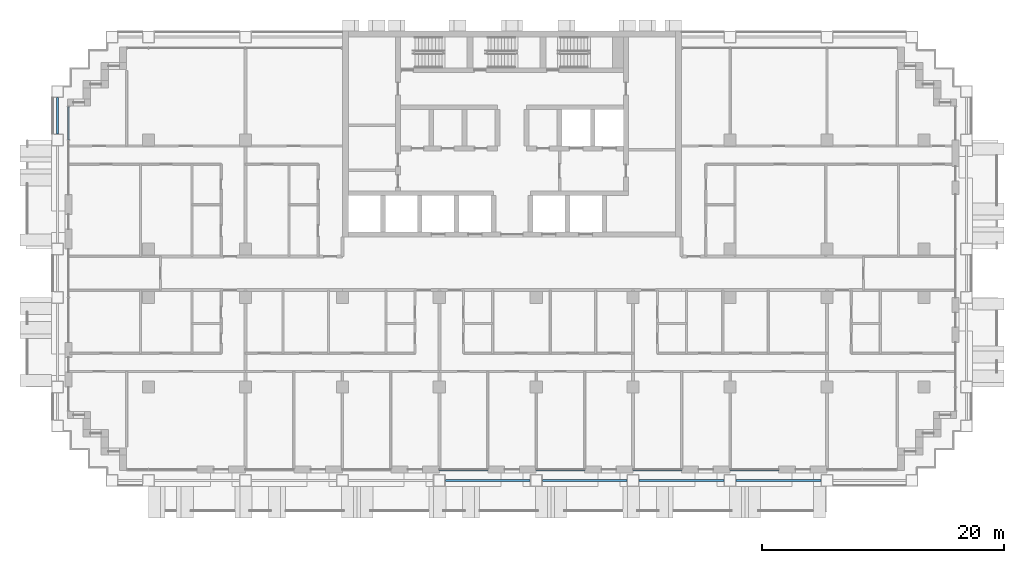
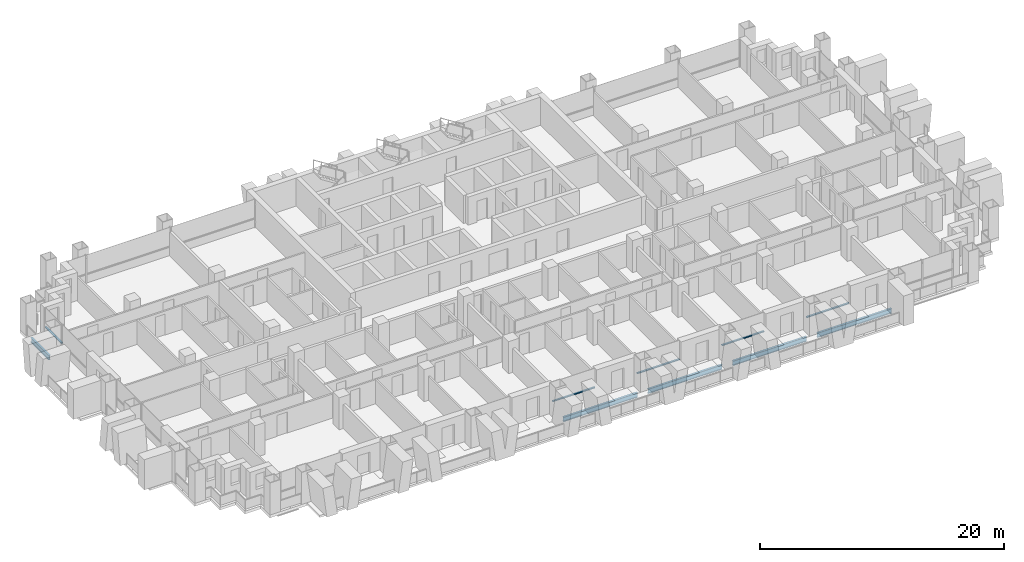
# One storey, part 3 of 19: 5 beams, 5 members, 5 elements without a shape of their own.
"""IFC4 building model written with IfcOpenShell, lengths in metres."""

import ifcopenshell
import ifcopenshell.guid

model = None  # the IFC model being written
_history = None  # IfcOwnerHistory: only IFC2X3 demands one
_inside = {}  # id of a spatial element -> (the spatial element, [elements in it])
_under = {}  # id of a project, library or spatial element -> (it, [spatial elements below it])
_declared = {}  # id of a project -> (the project, [libraries it declares])
_typed = {}  # id of a type object -> (the type object, [elements of that type])
_made_of = {}  # id of a material, layer set ... -> (it, [elements and type objects made of it])


def new_model(schema):
    """Start an empty IFC model of exactly this schema.

    Asked for "IFC4X3", IfcOpenShell would pick the latest addendum, in which some entities
    have other attributes; the version numbers below select the first issue.
    IFC2X3 requires an IfcOwnerHistory on every rooted entity: one is made here for all.
    """
    global model, _history
    if schema == "IFC4X3":
        model = ifcopenshell.file(schema_version=(4, 3, 0, 0))
    else:
        model = ifcopenshell.file(schema=schema)
    _inside.clear()
    _under.clear()
    _declared.clear()
    _typed.clear()
    _made_of.clear()
    _history = None
    if model.schema == "IFC2X3":
        org = make("IfcOrganization", Name="unknown")
        user = make(
            "IfcPersonAndOrganization",
            ThePerson=make("IfcPerson", FamilyName="unknown"),
            TheOrganization=org,
        )
        app = make(
            "IfcApplication",
            ApplicationDeveloper=org,
            Version="unknown",
            ApplicationFullName="unknown",
            ApplicationIdentifier="unknown",
        )
        _history = make(
            "IfcOwnerHistory",
            OwningUser=user,
            OwningApplication=app,
            ChangeAction="ADDED",
            CreationDate=0,
        )
    return model


def make(cls, **values):
    """One entity of the class cls with the attributes given. An attribute that is None is left unset."""
    return model.create_entity(
        cls, **{name: value for name, value in values.items() if value is not None}
    )


def rooted(cls, **values):
    """An entity with a GlobalId (a new one), such as an element, a storey or a relation."""
    return make(cls, GlobalId=ifcopenshell.guid.new(), OwnerHistory=_history, **values)


def si_unit(unit_type, name, prefix=None):
    """IfcSIUnit, for example si_unit("LENGTHUNIT", "METRE", prefix="MILLI")."""
    return make("IfcSIUnit", UnitType=unit_type, Prefix=prefix, Name=name)


def assignment(units):
    """IfcUnitAssignment: the units of a project."""
    return None if units is None else make("IfcUnitAssignment", Units=units)


def point(xyz):
    """IfcCartesianPoint."""
    return None if xyz is None else make("IfcCartesianPoint", Coordinates=xyz)


def direction(xyz):
    """IfcDirection."""
    return None if xyz is None else make("IfcDirection", DirectionRatios=xyz)


def frame(location, z_axis=None, x_axis=None):
    """IfcAxis2Placement3D, a coordinate frame: its origin and axes. An axis left out is left unset."""
    return make(
        "IfcAxis2Placement3D",
        Location=point(location),
        Axis=direction(z_axis),
        RefDirection=direction(x_axis),
    )


def frame_2d(location, x_axis=None):
    """IfcAxis2Placement2D, a coordinate frame in the plane: its origin and x axis."""
    return make(
        "IfcAxis2Placement2D", Location=point(location), RefDirection=direction(x_axis)
    )


def origin():
    """The frame at (0, 0, 0) with its axes left unset."""
    return frame((0.0, 0.0, 0.0))


def origin_2d():
    """The frame at (0, 0) in the plane with its x axis left unset."""
    return frame_2d((0.0, 0.0))


def place(relative_to, where):
    """IfcLocalPlacement: puts the frame where relative to a parent placement (None: the world)."""
    return make(
        "IfcLocalPlacement", PlacementRelTo=relative_to, RelativePlacement=where
    )


def context(
    kind, dimensions, precision=None, world=None, true_north=None, identifier=None
):
    """IfcGeometricRepresentationContext, for example the 3D "Model" context."""
    return make(
        "IfcGeometricRepresentationContext",
        ContextIdentifier=identifier,
        ContextType=kind,
        CoordinateSpaceDimension=dimensions,
        Precision=precision,
        WorldCoordinateSystem=world,
        TrueNorth=true_north,
    )


def subcontext(parent, identifier, kind, view, scale=None):
    """IfcGeometricRepresentationSubContext, for example "Body" below "Model"."""
    return make(
        "IfcGeometricRepresentationSubContext",
        ContextIdentifier=identifier,
        ContextType=kind,
        ParentContext=parent,
        TargetScale=scale,
        TargetView=view,
    )


def project(units=None, contexts=None):
    """IfcProject with its units and contexts."""
    return rooted(
        "IfcProject",
        Name="project",
        RepresentationContexts=contexts,
        UnitsInContext=assignment(units),
    )


def spatial(cls, under=None, at=None, **own):
    """A site, building, storey or space (cls), placed at a placement, below another one or the project."""
    s = rooted(cls, ObjectPlacement=at, **own)
    if under is not None:
        _under.setdefault(under.id(), (under, []))[1].append(s)
    return s


def profile(cls, at=None, kind="AREA", **sizes):
    """A parametric profile (cls). Its sizes go by their IFC names, for example OverallWidth=200.0."""
    return make(cls, ProfileType=kind, Position=at, **sizes)


def rectangle(**sizes):
    """IfcRectangleProfileDef."""
    return profile("IfcRectangleProfileDef", **sizes)


def i_section(**sizes):
    """IfcIShapeProfileDef."""
    return profile("IfcIShapeProfileDef", **sizes)


def extrude(swept, where, along, depth):
    """IfcExtrudedAreaSolid: the profile swept, set in the frame where, extruded along a direction by depth."""
    return make(
        "IfcExtrudedAreaSolid",
        SweptArea=swept,
        Position=where,
        ExtrudedDirection=direction(along),
        Depth=depth,
    )


def shape(context_of_items, identifier, shape_type, items):
    """IfcShapeRepresentation: the items that make up one representation, for example the "Body"."""
    return make(
        "IfcShapeRepresentation",
        ContextOfItems=context_of_items,
        RepresentationIdentifier=identifier,
        RepresentationType=shape_type,
        Items=items,
    )


def material(Name=None, Category=None):
    """IfcMaterial."""
    return make("IfcMaterial", Name=Name, Category=Category)


def material_profile(
    of_material, cross_section, Name=None, Category=None, Priority=None
):
    """IfcMaterialProfile: a cross section and its material."""
    return make(
        "IfcMaterialProfile",
        Name=Name,
        Material=of_material,
        Profile=cross_section,
        Priority=Priority,
        Category=Category,
    )


def profile_set(profiles, Name=None, composite=None):
    """IfcMaterialProfileSet."""
    return make(
        "IfcMaterialProfileSet",
        Name=Name,
        MaterialProfiles=profiles,
        CompositeProfile=composite,
    )


def made_of(thing, what):
    """Note that an element or type object is made of a material, layer set ...; save() writes the relation."""
    if what is not None:
        _made_of.setdefault(what.id(), (what, []))[1].append(thing)
    return thing


def type_object(cls, material=None, **own):
    """A type object (cls), such as IfcWallType, which elements share."""
    return made_of(rooted(cls, **own), material)


def element(
    cls,
    number,
    at=None,
    inside=None,
    cuts=None,
    type_object=None,
    material=None,
    context=None,
    identifier="Body",
    shape_type=None,
    held_by="IfcProductDefinitionShape",
    body=None,
    shapes=None,
    **own,
):
    """One element of the class cls, such as IfcWall. Its Tag is "e" and its number.

    at: its placement. inside: the storey or other place that contains it. cuts: it is an
    opening in that element (IfcRelVoidsElement). A single representation is given by context,
    identifier, shape_type and body (its items); several are given by shapes. held_by: the class
    of the entity that holds the representations. save() writes the other relations.
    """
    e = rooted(cls, Tag="e%d" % number, ObjectPlacement=at, **own)
    if body is not None:
        shapes = [shape(context, identifier, shape_type, body)]
    if shapes is not None:
        e.Representation = make(held_by, Representations=shapes)
    if inside is not None:
        _inside.setdefault(inside.id(), (inside, []))[1].append(e)
    if cuts is not None:
        rooted(
            "IfcRelVoidsElement", RelatingBuildingElement=cuts, RelatedOpeningElement=e
        )
    if type_object is not None:
        _typed.setdefault(type_object.id(), (type_object, []))[1].append(e)
    return made_of(e, material)


def aggregate(whole, parts):
    """IfcRelAggregates: a whole, such as a stair, and the parts it consists of."""
    return rooted("IfcRelAggregates", RelatingObject=whole, RelatedObjects=parts)


def save(model, path):
    """Write the relations noted so far, then the file.

    IfcRelAggregates (storeys below a building ...), IfcRelContainedInSpatialStructure (elements
    in a storey), IfcRelDefinesByType, IfcRelAssociatesMaterial and IfcRelDeclares: one each for
    every whole, place, type object, material and project.
    """
    for whole, parts in _under.values():
        aggregate(whole, parts)
    for where, things in _inside.values():
        rooted(
            "IfcRelContainedInSpatialStructure",
            RelatedElements=things,
            RelatingStructure=where,
        )
    for kind, things in _typed.values():
        rooted("IfcRelDefinesByType", RelatedObjects=things, RelatingType=kind)
    for what, things in _made_of.values():
        rooted("IfcRelAssociatesMaterial", RelatedObjects=things, RelatingMaterial=what)
    for by, libraries in _declared.values():
        rooted("IfcRelDeclares", RelatingContext=by, RelatedDefinitions=libraries)
    model.write(path)


model = new_model("IFC4")

# Units and contexts
model_context = context("Model", 3, precision=1e-05, world=origin(), true_north=direction((0.0, 1.0)))
body_context = subcontext(model_context, "Body", "Model", "MODEL_VIEW")
ifc_project = project(units=[si_unit("LENGTHUNIT", "METRE"), si_unit("AREAUNIT", "SQUARE_METRE"), si_unit("VOLUMEUNIT", "CUBIC_METRE"), si_unit("PLANEANGLEUNIT", "RADIAN"), si_unit("MASSUNIT", "GRAM", prefix="KILO")], contexts=[model_context])

# Site, building, storey
site_placement = place(None, origin())
site = spatial("IfcSite", under=ifc_project, at=site_placement, CompositionType="ELEMENT")
building_placement = place(site_placement, origin())
building = spatial("IfcBuilding", under=site, at=building_placement, Name="Vidyagriha Tower", CompositionType="ELEMENT")
storey_placement = place(building_placement, frame((0.0, 0.0, 60.800048828125)))
storey = spatial("IfcBuildingStorey", under=building, at=storey_placement, Name="L16", CompositionType="ELEMENT", Elevation=60.800048828125)

# Beams
ifc_material_1 = material(Name="Steel ASTM A992 Grade 50", Category="steel")
ifc_material_profile_1 = material_profile(ifc_material_1, i_section(OverallWidth=0.19189453125, OverallDepth=0.46240234375, WebThickness=0.010498046875, FlangeThickness=0.017578125, at=origin_2d()), Name="W18X60")
ifc_profile_set_1 = profile_set([ifc_material_profile_1], Name="Steel ASTM A992 Grade 50")
beam_type = type_object("IfcBeamType", Name="Edge beam W18X60", PredefinedType="SPANDREL", material=ifc_profile_set_1)
for number, where, z_axis, x_axis, name in (
    (1, (-5.5, -17.10009765625, -0.51123046875), (1.0, 0.0, 0.0), (0.0, 1.0, 0.0), "st-beam-L16-S05"),
    (2, (2.5, -17.10009765625, -0.51123046875), (1.0, 0.0, 0.0), (0.0, 1.0, 0.0), "st-beam-L16-S06"),
    (3, (10.5, -17.10009765625, -0.51123046875), (1.0, 0.0, 0.0), (0.0, 1.0, 0.0), "st-beam-L16-S07"),
    (4, (18.5, -17.10009765625, -0.51123046875), (1.0, 0.0, 0.0), (0.0, 1.0, 0.0), "st-beam-L16-S08"),
):
    element("IfcBeam", number, at=place(storey_placement, frame(where, z_axis=z_axis, x_axis=x_axis)), inside=storey, type_object=beam_type, Name=name, PredefinedType="SPANDREL", context=body_context, shape_type="SweptSolid", body=[
        extrude(i_section(OverallWidth=0.19189453125, OverallDepth=0.46240234375, WebThickness=0.010498046875, FlangeThickness=0.017578125, at=origin_2d()), origin(), (0.0, 0.0, 1.0), 7.0),
    ])
beam_placement = place(storey_placement, frame((-37.5, 11.5, -0.51123046875), z_axis=(0.0, 1.0, 0.0), x_axis=(-1.0, 0.0, 0.0)))
element("IfcBeam", 5, at=beam_placement, inside=storey, type_object=beam_type, Name="st-beam-L16-W14", PredefinedType="SPANDREL", context=body_context, shape_type="SweptSolid", body=[
    extrude(i_section(OverallWidth=0.19189453125, OverallDepth=0.46240234375, WebThickness=0.010498046875, FlangeThickness=0.017578125, at=origin_2d()), origin(), (0.0, 0.0, 1.0), 3.0),
])

# Curtain wall, member
ifc_material_2 = material(Name="Aluminium and glass curtain wall", Category="aluminium")
curtain_wall_type = type_object("IfcCurtainWallType", Name="Dwelling skin unitised curtain wall", PredefinedType="USERDEFINED", material=ifc_material_2)
curtain_wall_1_placement = place(storey_placement, origin())
curtain_wall_1 = element("IfcCurtainWall", 6, at=curtain_wall_1_placement, inside=storey, type_object=curtain_wall_type, Name="CW1 dwelling skin", ObjectType="UNITISED", PredefinedType="USERDEFINED")
ifc_material_3 = material(Name="Aluminium black anodised", Category="aluminium")
ifc_material_profile_2 = material_profile(ifc_material_3, rectangle(XDim=0.159912109375, YDim=0.10009765625, at=origin_2d()), Name="Transom 100x160 black aluminium")
ifc_profile_set_2 = profile_set([ifc_material_profile_2], Name="Aluminium black anodised")
member_type = type_object("IfcMemberType", Name="Transom 100x160 black aluminium", PredefinedType="USERDEFINED", material=ifc_profile_set_2)
member_1_placement = place(storey_placement, frame((-36.60009765625, 13.72998046875, 0.89990234375), z_axis=(0.0, -1.0, 0.0), x_axis=(1.0, 0.0, 0.0)))
member_1 = element("IfcMember", 7, at=member_1_placement, type_object=member_type, Name="CW1 transom 1.1", ObjectType="TRANSOM", PredefinedType="USERDEFINED", context=body_context, shape_type="SweptSolid", body=[
    extrude(rectangle(XDim=0.159912109375, YDim=0.10009765625, at=origin_2d()), origin(), (0.0, 0.0, 1.0), 2.695068359375),
])
aggregate(curtain_wall_1, [member_1])

curtain_wall_2_placement = place(storey_placement, origin())
curtain_wall_2 = element("IfcCurtainWall", 8, at=curtain_wall_2_placement, inside=storey, type_object=curtain_wall_type, Name="CW1 dwelling skin", ObjectType="UNITISED", PredefinedType="USERDEFINED")
member_2_placement = place(storey_placement, frame((-6.0, -16.199951171875, 0.89990234375), z_axis=(1.0, 0.0, 0.0), x_axis=(0.0, 1.0, 0.0)))
member_2 = element("IfcMember", 9, at=member_2_placement, type_object=member_type, Name="CW1 transom 1.1", ObjectType="TRANSOM", PredefinedType="USERDEFINED", context=body_context, shape_type="SweptSolid", body=[
    extrude(rectangle(XDim=0.159912109375, YDim=0.10009765625, at=origin_2d()), origin(), (0.0, 0.0, 1.0), 4.0),
])
aggregate(curtain_wall_2, [member_2])

curtain_wall_3_placement = place(storey_placement, origin())
curtain_wall_3 = element("IfcCurtainWall", 10, at=curtain_wall_3_placement, inside=storey, type_object=curtain_wall_type, Name="CW1 dwelling skin", ObjectType="UNITISED", PredefinedType="USERDEFINED")
member_3_placement = place(storey_placement, frame((2.0, -16.199951171875, 0.89990234375), z_axis=(1.0, 0.0, 0.0), x_axis=(0.0, 1.0, 0.0)))
member_3 = element("IfcMember", 11, at=member_3_placement, type_object=member_type, Name="CW1 transom 1.1", ObjectType="TRANSOM", PredefinedType="USERDEFINED", context=body_context, shape_type="SweptSolid", body=[
    extrude(rectangle(XDim=0.159912109375, YDim=0.10009765625, at=origin_2d()), origin(), (0.0, 0.0, 1.0), 4.0),
])
aggregate(curtain_wall_3, [member_3])

curtain_wall_4_placement = place(storey_placement, origin())
curtain_wall_4 = element("IfcCurtainWall", 12, at=curtain_wall_4_placement, inside=storey, type_object=curtain_wall_type, Name="CW1 dwelling skin", ObjectType="UNITISED", PredefinedType="USERDEFINED")
member_4_placement = place(storey_placement, frame((10.0, -16.199951171875, 0.89990234375), z_axis=(1.0, 0.0, 0.0), x_axis=(0.0, 1.0, 0.0)))
member_4 = element("IfcMember", 13, at=member_4_placement, type_object=member_type, Name="CW1 transom 1.1", ObjectType="TRANSOM", PredefinedType="USERDEFINED", context=body_context, shape_type="SweptSolid", body=[
    extrude(rectangle(XDim=0.159912109375, YDim=0.10009765625, at=origin_2d()), origin(), (0.0, 0.0, 1.0), 4.0),
])
aggregate(curtain_wall_4, [member_4])

curtain_wall_5_placement = place(storey_placement, origin())
curtain_wall_5 = element("IfcCurtainWall", 14, at=curtain_wall_5_placement, inside=storey, type_object=curtain_wall_type, Name="CW1 dwelling skin", ObjectType="UNITISED", PredefinedType="USERDEFINED")
member_5_placement = place(storey_placement, frame((18.0, -16.199951171875, 0.89990234375), z_axis=(1.0, 0.0, 0.0), x_axis=(0.0, 1.0, 0.0)))
member_5 = element("IfcMember", 15, at=member_5_placement, type_object=member_type, Name="CW1 transom 1.1", ObjectType="TRANSOM", PredefinedType="USERDEFINED", context=body_context, shape_type="SweptSolid", body=[
    extrude(rectangle(XDim=0.159912109375, YDim=0.10009765625, at=origin_2d()), origin(), (0.0, 0.0, 1.0), 4.0),
])
aggregate(curtain_wall_5, [member_5])

save(model, "model.ifc")
